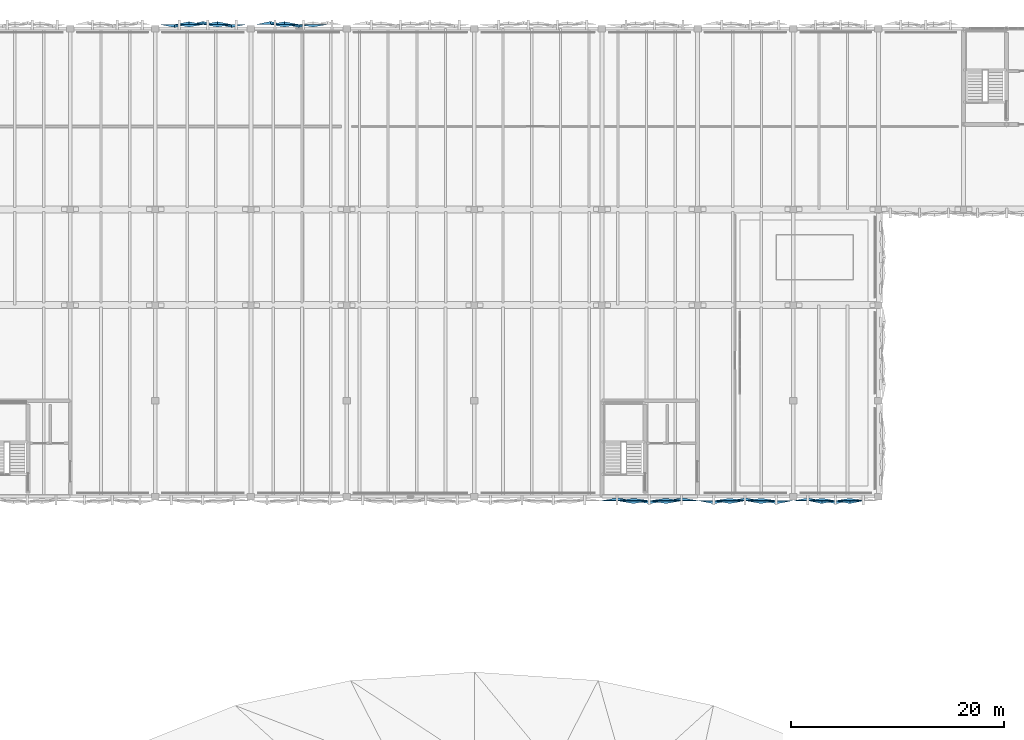
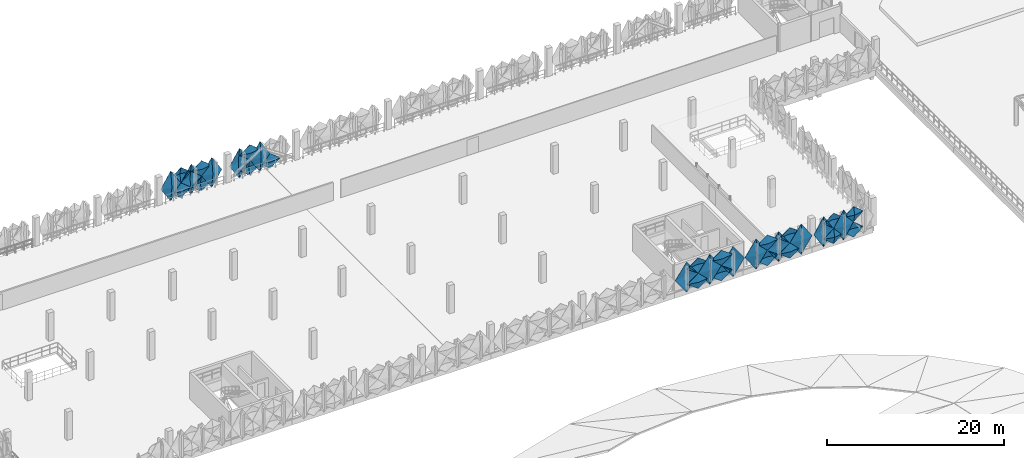
# One storey, part 41 of 52: 32 plates.
"""IFC4 building model written with IfcOpenShell, lengths in metres."""

from ifc_helpers import new_model, si_unit, derived_unit, direction, frame, origin, place, context, subcontext, project, spatial, polygons, material, layer, layer_set, type_object, element, save


model = new_model("IFC4")

# Units and contexts
model_context = context("Model", 3, precision=1e-05, world=origin(), true_north=direction((0.0, 1.0)))
body_context = subcontext(model_context, "Body", "Model", "MODEL_VIEW")
ifc_project = project(units=[si_unit("LENGTHUNIT", "METRE"), si_unit("AREAUNIT", "SQUARE_METRE"), si_unit("VOLUMEUNIT", "CUBIC_METRE"), si_unit("PLANEANGLEUNIT", "RADIAN"), si_unit("MASSUNIT", "GRAM", prefix="KILO"), si_unit("THERMODYNAMICTEMPERATUREUNIT", "KELVIN"), derived_unit("THERMALTRANSMITTANCEUNIT", [(si_unit("POWERUNIT", "WATT"), 1), (si_unit("AREAUNIT", "SQUARE_METRE"), -1), (si_unit("THERMODYNAMICTEMPERATUREUNIT", "KELVIN"), -1)])], contexts=[model_context])

# Site, building, storey
site_placement = place(None, origin())
site = spatial("IfcSite", under=ifc_project, at=site_placement, CompositionType="ELEMENT")
building_placement = place(site_placement, origin())
building = spatial("IfcBuilding", under=site, at=building_placement, Name="Haiyu Intermodal Mobility Hub", CompositionType="ELEMENT")
storey_placement = place(building_placement, frame((0.0, 0.0, 21.199951171875)))
storey = spatial("IfcBuildingStorey", under=building, at=storey_placement, Name="L05", CompositionType="ELEMENT", Elevation=21.199951171875)

# Plates
ifc_material = material(Name="Anodised aluminium 6063-T6", Category="aluminium")
ifc_layer_1 = layer(ifc_material, 0.01806640625)
ifc_layer_set_1 = layer_set([ifc_layer_1], Name="Anodised aluminium 6063-T6")
plate_type_1 = type_object("IfcPlateType", Name="PLT-FC03", PredefinedType="USERDEFINED", material=ifc_layer_set_1)
plate_1_placement = place(storey_placement, origin())
element("IfcPlate", 1, at=plate_1_placement, inside=storey, type_object=plate_type_1, Name="PLT-PYR-0240", ObjectType="FACADE CASSETTE", PredefinedType="USERDEFINED", context=body_context, shape_type="Tessellation", body=[
    polygons([(83.840087890625, 148.39990234375, -0.52001953125), (82.52001953125, 148.39990234375, 0.530029296875), (83.840087890625, 148.39990234375, 1.580078125), (85.159912109375, 148.39990234375, 0.530029296875), (83.840087890625, 148.659912109375, 0.530029296875), (83.840087890625, 148.3779296875, -0.52001953125), (82.52001953125, 148.3779296875, 0.530029296875), (83.840087890625, 148.3779296875, 1.580078125), (85.159912109375, 148.3779296875, 0.530029296875), (83.840087890625, 148.637939453125, 0.530029296875)], [[[1, 2, 5]], [[2, 3, 5]], [[3, 4, 5]], [[4, 1, 5]], [[7, 6, 10]], [[8, 7, 10]], [[9, 8, 10]], [[6, 9, 10]], [[1, 6, 7, 2]], [[2, 7, 8, 3]], [[3, 8, 9, 4]], [[4, 9, 6, 1]]], closed=True),
])
plate_2_placement = place(storey_placement, origin())
element("IfcPlate", 2, at=plate_2_placement, inside=storey, type_object=plate_type_1, Name="PLT-PYR-0278", ObjectType="FACADE CASSETTE", PredefinedType="USERDEFINED", context=body_context, shape_type="Tessellation", body=[
    polygons([(90.159912109375, 148.39990234375, -0.52001953125), (88.840087890625, 148.39990234375, 0.530029296875), (90.159912109375, 148.39990234375, 1.580078125), (91.47998046875, 148.39990234375, 0.530029296875), (90.159912109375, 148.659912109375, 0.530029296875), (90.159912109375, 148.3779296875, -0.52001953125), (88.840087890625, 148.3779296875, 0.530029296875), (90.159912109375, 148.3779296875, 1.580078125), (91.47998046875, 148.3779296875, 0.530029296875), (90.159912109375, 148.637939453125, 0.530029296875)], [[[1, 2, 5]], [[2, 3, 5]], [[3, 4, 5]], [[4, 1, 5]], [[7, 6, 10]], [[8, 7, 10]], [[9, 8, 10]], [[6, 9, 10]], [[1, 6, 7, 2]], [[2, 7, 8, 3]], [[3, 8, 9, 4]], [[4, 9, 6, 1]]], closed=True),
])
plate_3_placement = place(storey_placement, origin())
element("IfcPlate", 3, at=plate_3_placement, inside=storey, type_object=plate_type_1, Name="PLT-PYR-0973", ObjectType="FACADE CASSETTE", PredefinedType="USERDEFINED", context=body_context, shape_type="Tessellation", body=[
    polygons([(130.552978515625, 103.60009765625, -0.510009765625), (132.007080078125, 103.60009765625, 1.60009765625), (130.552978515625, 103.60009765625, 3.7099609375), (129.10009765625, 103.60009765625, 1.60009765625), (130.552978515625, 103.320068359375, 1.60009765625), (130.552978515625, 103.6220703125, -0.510009765625), (132.007080078125, 103.6220703125, 1.60009765625), (130.552978515625, 103.6220703125, 3.7099609375), (129.10009765625, 103.6220703125, 1.60009765625), (130.552978515625, 103.342041015625, 1.60009765625)], [[[1, 2, 5]], [[2, 3, 5]], [[3, 4, 5]], [[4, 1, 5]], [[7, 6, 10]], [[8, 7, 10]], [[9, 8, 10]], [[6, 9, 10]], [[1, 6, 7, 2]], [[2, 7, 8, 3]], [[3, 8, 9, 4]], [[4, 9, 6, 1]]], closed=True),
])
plate_4_placement = place(storey_placement, origin())
element("IfcPlate", 4, at=plate_4_placement, inside=storey, type_object=plate_type_1, Name="PLT-PYR-0977", ObjectType="FACADE CASSETTE", PredefinedType="USERDEFINED", context=body_context, shape_type="Tessellation", body=[
    polygons([(134.972900390625, 103.60009765625, -0.52001953125), (136.427001953125, 103.60009765625, 0.530029296875), (134.972900390625, 103.60009765625, 1.580078125), (133.52001953125, 103.60009765625, 0.530029296875), (134.972900390625, 103.340087890625, 0.530029296875), (134.972900390625, 103.6220703125, -0.52001953125), (136.427001953125, 103.6220703125, 0.530029296875), (134.972900390625, 103.6220703125, 1.580078125), (133.52001953125, 103.6220703125, 0.530029296875), (134.972900390625, 103.362060546875, 0.530029296875)], [[[1, 2, 5]], [[2, 3, 5]], [[3, 4, 5]], [[4, 1, 5]], [[7, 6, 10]], [[8, 7, 10]], [[9, 8, 10]], [[6, 9, 10]], [[1, 6, 7, 2]], [[2, 7, 8, 3]], [[3, 8, 9, 4]], [[4, 9, 6, 1]]], closed=True),
])
plate_5_placement = place(storey_placement, origin())
element("IfcPlate", 5, at=plate_5_placement, inside=storey, type_object=plate_type_1, Name="PLT-PYR-1009", ObjectType="FACADE CASSETTE", PredefinedType="USERDEFINED", context=body_context, shape_type="Tessellation", body=[
    polygons([(140.693115234375, 103.60009765625, -0.52001953125), (141.97998046875, 103.60009765625, 0.530029296875), (140.693115234375, 103.60009765625, 1.580078125), (139.406982421875, 103.60009765625, 0.530029296875), (140.693115234375, 103.340087890625, 0.530029296875), (140.693115234375, 103.6220703125, -0.52001953125), (141.97998046875, 103.6220703125, 0.530029296875), (140.693115234375, 103.6220703125, 1.580078125), (139.406982421875, 103.6220703125, 0.530029296875), (140.693115234375, 103.362060546875, 0.530029296875)], [[[1, 2, 5]], [[2, 3, 5]], [[3, 4, 5]], [[4, 1, 5]], [[7, 6, 10]], [[8, 7, 10]], [[9, 8, 10]], [[6, 9, 10]], [[1, 6, 7, 2]], [[2, 7, 8, 3]], [[3, 8, 9, 4]], [[4, 9, 6, 1]]], closed=True),
])
plate_6_placement = place(storey_placement, origin())
element("IfcPlate", 6, at=plate_6_placement, inside=storey, type_object=plate_type_1, Name="PLT-PYR-2254", ObjectType="FACADE CASSETTE", PredefinedType="USERDEFINED", context=body_context, shape_type="Tessellation", body=[
    polygons([(122.98291015625, 103.60009765625, -0.52001953125), (124.47998046875, 103.60009765625, 0.530029296875), (122.98291015625, 103.60009765625, 1.580078125), (121.487060546875, 103.60009765625, 0.530029296875), (122.98291015625, 103.340087890625, 0.530029296875), (122.98291015625, 103.6220703125, -0.52001953125), (124.47998046875, 103.6220703125, 0.530029296875), (122.98291015625, 103.6220703125, 1.580078125), (121.487060546875, 103.6220703125, 0.530029296875), (122.98291015625, 103.362060546875, 0.530029296875)], [[[1, 2, 5]], [[2, 3, 5]], [[3, 4, 5]], [[4, 1, 5]], [[7, 6, 10]], [[8, 7, 10]], [[9, 8, 10]], [[6, 9, 10]], [[1, 6, 7, 2]], [[2, 7, 8, 3]], [[3, 8, 9, 4]], [[4, 9, 6, 1]]], closed=True),
])
ifc_layer_2 = layer(ifc_material, 0.02001953125)
ifc_layer_set_2 = layer_set([ifc_layer_2], Name="Anodised aluminium 6063-T6")
plate_type_2 = type_object("IfcPlateType", Name="PLT-FC04", PredefinedType="USERDEFINED", material=ifc_layer_set_2)
plate_7_placement = place(storey_placement, origin())
element("IfcPlate", 7, at=plate_7_placement, inside=storey, type_object=plate_type_2, Name="PLT-PYR-0239", ObjectType="FACADE CASSETTE", PredefinedType="USERDEFINED", context=body_context, shape_type="Tessellation", body=[
    polygons([(85.179931640625, 148.39990234375, -0.510009765625), (83.860107421875, 148.39990234375, 1.60009765625), (85.179931640625, 148.39990234375, 3.7099609375), (86.5, 148.39990234375, 1.60009765625), (85.179931640625, 148.139892578125, 1.60009765625), (85.179931640625, 148.3779296875, -0.510009765625), (83.860107421875, 148.3779296875, 1.60009765625), (85.179931640625, 148.3779296875, 3.7099609375), (86.5, 148.3779296875, 1.60009765625), (85.179931640625, 148.117919921875, 1.60009765625)], [[[1, 2, 5]], [[2, 3, 5]], [[3, 4, 5]], [[4, 1, 5]], [[7, 6, 10]], [[8, 7, 10]], [[9, 8, 10]], [[6, 9, 10]], [[1, 6, 7, 2]], [[2, 7, 8, 3]], [[3, 8, 9, 4]], [[4, 9, 6, 1]]], closed=True),
])
plate_8_placement = place(storey_placement, origin())
element("IfcPlate", 8, at=plate_8_placement, inside=storey, type_object=plate_type_2, Name="PLT-PYR-0243", ObjectType="FACADE CASSETTE", PredefinedType="USERDEFINED", context=body_context, shape_type="Tessellation", body=[
    polygons([(81.159912109375, 148.39990234375, -0.52001953125), (79.840087890625, 148.39990234375, 0.530029296875), (81.159912109375, 148.39990234375, 1.580078125), (82.47998046875, 148.39990234375, 0.530029296875), (81.159912109375, 148.179931640625, 0.530029296875), (81.159912109375, 148.3779296875, -0.52001953125), (79.840087890625, 148.3779296875, 0.530029296875), (81.159912109375, 148.3779296875, 1.580078125), (82.47998046875, 148.3779296875, 0.530029296875), (81.159912109375, 148.157958984375, 0.530029296875)], [[[1, 2, 5]], [[2, 3, 5]], [[3, 4, 5]], [[4, 1, 5]], [[7, 6, 10]], [[8, 7, 10]], [[9, 8, 10]], [[6, 9, 10]], [[1, 6, 7, 2]], [[2, 7, 8, 3]], [[3, 8, 9, 4]], [[4, 9, 6, 1]]], closed=True),
])
plate_9_placement = place(storey_placement, origin())
element("IfcPlate", 9, at=plate_9_placement, inside=storey, type_object=plate_type_2, Name="PLT-PYR-0275", ObjectType="FACADE CASSETTE", PredefinedType="USERDEFINED", context=body_context, shape_type="Tessellation", body=[
    polygons([(92.840087890625, 148.39990234375, -0.52001953125), (91.52001953125, 148.39990234375, 0.530029296875), (92.840087890625, 148.39990234375, 1.580078125), (94.159912109375, 148.39990234375, 0.530029296875), (92.840087890625, 148.179931640625, 0.530029296875), (92.840087890625, 148.3779296875, -0.52001953125), (91.52001953125, 148.3779296875, 0.530029296875), (92.840087890625, 148.3779296875, 1.580078125), (94.159912109375, 148.3779296875, 0.530029296875), (92.840087890625, 148.157958984375, 0.530029296875)], [[[1, 2, 5]], [[2, 3, 5]], [[3, 4, 5]], [[4, 1, 5]], [[7, 6, 10]], [[8, 7, 10]], [[9, 8, 10]], [[6, 9, 10]], [[1, 6, 7, 2]], [[2, 7, 8, 3]], [[3, 8, 9, 4]], [[4, 9, 6, 1]]], closed=True),
])
plate_10_placement = place(storey_placement, origin())
element("IfcPlate", 10, at=plate_10_placement, inside=storey, type_object=plate_type_2, Name="PLT-PYR-0974", ObjectType="FACADE CASSETTE", PredefinedType="USERDEFINED", context=body_context, shape_type="Tessellation", body=[
    polygons([(132.027099609375, 103.60009765625, -0.52001953125), (133.47998046875, 103.60009765625, 0.530029296875), (132.027099609375, 103.60009765625, 1.580078125), (130.572998046875, 103.60009765625, 0.530029296875), (132.027099609375, 103.820068359375, 0.530029296875), (132.027099609375, 103.6220703125, -0.52001953125), (133.47998046875, 103.6220703125, 0.530029296875), (132.027099609375, 103.6220703125, 1.580078125), (130.572998046875, 103.6220703125, 0.530029296875), (132.027099609375, 103.842041015625, 0.530029296875)], [[[1, 2, 5]], [[2, 3, 5]], [[3, 4, 5]], [[4, 1, 5]], [[7, 6, 10]], [[8, 7, 10]], [[9, 8, 10]], [[6, 9, 10]], [[1, 6, 7, 2]], [[2, 7, 8, 3]], [[3, 8, 9, 4]], [[4, 9, 6, 1]]], closed=True),
])
plate_11_placement = place(storey_placement, origin())
element("IfcPlate", 11, at=plate_11_placement, inside=storey, type_object=plate_type_2, Name="PLT-PYR-1008", ObjectType="FACADE CASSETTE", PredefinedType="USERDEFINED", context=body_context, shape_type="Tessellation", body=[
    polygons([(139.386962890625, 103.60009765625, -0.510009765625), (140.673095703125, 103.60009765625, 1.60009765625), (139.386962890625, 103.60009765625, 3.7099609375), (138.10009765625, 103.60009765625, 1.60009765625), (139.386962890625, 103.860107421875, 1.60009765625), (139.386962890625, 103.6220703125, -0.510009765625), (140.673095703125, 103.6220703125, 1.60009765625), (139.386962890625, 103.6220703125, 3.7099609375), (138.10009765625, 103.6220703125, 1.60009765625), (139.386962890625, 103.882080078125, 1.60009765625)], [[[1, 2, 5]], [[2, 3, 5]], [[3, 4, 5]], [[4, 1, 5]], [[7, 6, 10]], [[8, 7, 10]], [[9, 8, 10]], [[6, 9, 10]], [[1, 6, 7, 2]], [[2, 7, 8, 3]], [[3, 8, 9, 4]], [[4, 9, 6, 1]]], closed=True),
])
plate_12_placement = place(storey_placement, origin())
element("IfcPlate", 12, at=plate_12_placement, inside=storey, type_object=plate_type_2, Name="PLT-PYR-1012", ObjectType="FACADE CASSETTE", PredefinedType="USERDEFINED", context=body_context, shape_type="Tessellation", body=[
    polygons([(143.306884765625, 103.60009765625, -0.52001953125), (144.593017578125, 103.60009765625, 0.530029296875), (143.306884765625, 103.60009765625, 1.580078125), (142.02001953125, 103.60009765625, 0.530029296875), (143.306884765625, 103.820068359375, 0.530029296875), (143.306884765625, 103.6220703125, -0.52001953125), (144.593017578125, 103.6220703125, 0.530029296875), (143.306884765625, 103.6220703125, 1.580078125), (142.02001953125, 103.6220703125, 0.530029296875), (143.306884765625, 103.842041015625, 0.530029296875)], [[[1, 2, 5]], [[2, 3, 5]], [[3, 4, 5]], [[4, 1, 5]], [[7, 6, 10]], [[8, 7, 10]], [[9, 8, 10]], [[6, 9, 10]], [[1, 6, 7, 2]], [[2, 7, 8, 3]], [[3, 8, 9, 4]], [[4, 9, 6, 1]]], closed=True),
])
plate_13_placement = place(storey_placement, origin())
element("IfcPlate", 13, at=plate_13_placement, inside=storey, type_object=plate_type_2, Name="PLT-PYR-2253", ObjectType="FACADE CASSETTE", PredefinedType="USERDEFINED", context=body_context, shape_type="Tessellation", body=[
    polygons([(121.467041015625, 103.60009765625, -0.510009765625), (122.962890625, 103.60009765625, 1.60009765625), (121.467041015625, 103.60009765625, 3.7099609375), (119.969970703125, 103.60009765625, 1.60009765625), (121.467041015625, 103.860107421875, 1.60009765625), (121.467041015625, 103.6220703125, -0.510009765625), (122.962890625, 103.6220703125, 1.60009765625), (121.467041015625, 103.6220703125, 3.7099609375), (119.969970703125, 103.6220703125, 1.60009765625), (121.467041015625, 103.882080078125, 1.60009765625)], [[[1, 2, 5]], [[2, 3, 5]], [[3, 4, 5]], [[4, 1, 5]], [[7, 6, 10]], [[8, 7, 10]], [[9, 8, 10]], [[6, 9, 10]], [[1, 6, 7, 2]], [[2, 7, 8, 3]], [[3, 8, 9, 4]], [[4, 9, 6, 1]]], closed=True),
])
plate_14_placement = place(storey_placement, origin())
element("IfcPlate", 14, at=plate_14_placement, inside=storey, type_object=plate_type_2, Name="PLT-PYR-2257", ObjectType="FACADE CASSETTE", PredefinedType="USERDEFINED", context=body_context, shape_type="Tessellation", body=[
    polygons([(126.01708984375, 103.60009765625, -0.52001953125), (127.512939453125, 103.60009765625, 0.530029296875), (126.01708984375, 103.60009765625, 1.580078125), (124.52001953125, 103.60009765625, 0.530029296875), (126.01708984375, 103.820068359375, 0.530029296875), (126.01708984375, 103.6220703125, -0.52001953125), (127.512939453125, 103.6220703125, 0.530029296875), (126.01708984375, 103.6220703125, 1.580078125), (124.52001953125, 103.6220703125, 0.530029296875), (126.01708984375, 103.842041015625, 0.530029296875)], [[[1, 2, 5]], [[2, 3, 5]], [[3, 4, 5]], [[4, 1, 5]], [[7, 6, 10]], [[8, 7, 10]], [[9, 8, 10]], [[6, 9, 10]], [[1, 6, 7, 2]], [[2, 7, 8, 3]], [[3, 8, 9, 4]], [[4, 9, 6, 1]]], closed=True),
])
ifc_layer_3 = layer(ifc_material, 0.01806640625)
ifc_layer_set_3 = layer_set([ifc_layer_3], Name="Anodised aluminium 6063-T6")
plate_type_3 = type_object("IfcPlateType", Name="PLT-FC05", PredefinedType="USERDEFINED", material=ifc_layer_set_3)
plate_15_placement = place(storey_placement, origin())
element("IfcPlate", 15, at=plate_15_placement, inside=storey, type_object=plate_type_3, Name="PLT-PYR-0242", ObjectType="FACADE CASSETTE", PredefinedType="USERDEFINED", context=body_context, shape_type="Tessellation", body=[
    polygons([(82.5, 148.39990234375, -0.510009765625), (81.179931640625, 148.39990234375, 1.60009765625), (82.5, 148.39990234375, 3.7099609375), (83.820068359375, 148.39990234375, 1.60009765625), (82.5, 148.679931640625, 1.60009765625), (82.5, 148.3779296875, -0.510009765625), (81.179931640625, 148.3779296875, 1.60009765625), (82.5, 148.3779296875, 3.7099609375), (83.820068359375, 148.3779296875, 1.60009765625), (82.5, 148.657958984375, 1.60009765625)], [[[1, 2, 5]], [[2, 3, 5]], [[3, 4, 5]], [[4, 1, 5]], [[7, 6, 10]], [[8, 7, 10]], [[9, 8, 10]], [[6, 9, 10]], [[1, 6, 7, 2]], [[2, 7, 8, 3]], [[3, 8, 9, 4]], [[4, 9, 6, 1]]], closed=True),
])
plate_16_placement = place(storey_placement, origin())
element("IfcPlate", 16, at=plate_16_placement, inside=storey, type_object=plate_type_3, Name="PLT-PYR-0244", ObjectType="FACADE CASSETTE", PredefinedType="USERDEFINED", context=body_context, shape_type="Tessellation", body=[
    polygons([(81.159912109375, 148.39990234375, 1.6201171875), (79.840087890625, 148.39990234375, 2.670166015625), (81.159912109375, 148.39990234375, 3.719970703125), (82.47998046875, 148.39990234375, 2.670166015625), (81.159912109375, 148.659912109375, 2.670166015625), (81.159912109375, 148.3779296875, 1.6201171875), (79.840087890625, 148.3779296875, 2.670166015625), (81.159912109375, 148.3779296875, 3.719970703125), (82.47998046875, 148.3779296875, 2.670166015625), (81.159912109375, 148.637939453125, 2.670166015625)], [[[1, 2, 5]], [[2, 3, 5]], [[3, 4, 5]], [[4, 1, 5]], [[7, 6, 10]], [[8, 7, 10]], [[9, 8, 10]], [[6, 9, 10]], [[1, 6, 7, 2]], [[2, 7, 8, 3]], [[3, 8, 9, 4]], [[4, 9, 6, 1]]], closed=True),
])
plate_17_placement = place(storey_placement, origin())
element("IfcPlate", 17, at=plate_17_placement, inside=storey, type_object=plate_type_3, Name="PLT-PYR-0975", ObjectType="FACADE CASSETTE", PredefinedType="USERDEFINED", context=body_context, shape_type="Tessellation", body=[
    polygons([(132.027099609375, 103.60009765625, 1.6201171875), (133.47998046875, 103.60009765625, 2.670166015625), (132.027099609375, 103.60009765625, 3.719970703125), (130.572998046875, 103.60009765625, 2.670166015625), (132.027099609375, 103.340087890625, 2.670166015625), (132.027099609375, 103.6220703125, 1.6201171875), (133.47998046875, 103.6220703125, 2.670166015625), (132.027099609375, 103.6220703125, 3.719970703125), (130.572998046875, 103.6220703125, 2.670166015625), (132.027099609375, 103.362060546875, 2.670166015625)], [[[1, 2, 5]], [[2, 3, 5]], [[3, 4, 5]], [[4, 1, 5]], [[7, 6, 10]], [[8, 7, 10]], [[9, 8, 10]], [[6, 9, 10]], [[1, 6, 7, 2]], [[2, 7, 8, 3]], [[3, 8, 9, 4]], [[4, 9, 6, 1]]], closed=True),
])
plate_18_placement = place(storey_placement, origin())
element("IfcPlate", 18, at=plate_18_placement, inside=storey, type_object=plate_type_3, Name="PLT-PYR-1011", ObjectType="FACADE CASSETTE", PredefinedType="USERDEFINED", context=body_context, shape_type="Tessellation", body=[
    polygons([(142.0, 103.60009765625, -0.510009765625), (143.287109375, 103.60009765625, 1.60009765625), (142.0, 103.60009765625, 3.7099609375), (140.712890625, 103.60009765625, 1.60009765625), (142.0, 103.320068359375, 1.60009765625), (142.0, 103.6220703125, -0.510009765625), (143.287109375, 103.6220703125, 1.60009765625), (142.0, 103.6220703125, 3.7099609375), (140.712890625, 103.6220703125, 1.60009765625), (142.0, 103.342041015625, 1.60009765625)], [[[1, 2, 5]], [[2, 3, 5]], [[3, 4, 5]], [[4, 1, 5]], [[7, 6, 10]], [[8, 7, 10]], [[9, 8, 10]], [[6, 9, 10]], [[1, 6, 7, 2]], [[2, 7, 8, 3]], [[3, 8, 9, 4]], [[4, 9, 6, 1]]], closed=True),
])
plate_19_placement = place(storey_placement, origin())
element("IfcPlate", 19, at=plate_19_placement, inside=storey, type_object=plate_type_3, Name="PLT-PYR-1013", ObjectType="FACADE CASSETTE", PredefinedType="USERDEFINED", context=body_context, shape_type="Tessellation", body=[
    polygons([(143.306884765625, 103.60009765625, 1.6201171875), (144.593017578125, 103.60009765625, 2.670166015625), (143.306884765625, 103.60009765625, 3.719970703125), (142.02001953125, 103.60009765625, 2.670166015625), (143.306884765625, 103.340087890625, 2.670166015625), (143.306884765625, 103.6220703125, 1.6201171875), (144.593017578125, 103.6220703125, 2.670166015625), (143.306884765625, 103.6220703125, 3.719970703125), (142.02001953125, 103.6220703125, 2.670166015625), (143.306884765625, 103.362060546875, 2.670166015625)], [[[1, 2, 5]], [[2, 3, 5]], [[3, 4, 5]], [[4, 1, 5]], [[7, 6, 10]], [[8, 7, 10]], [[9, 8, 10]], [[6, 9, 10]], [[1, 6, 7, 2]], [[2, 7, 8, 3]], [[3, 8, 9, 4]], [[4, 9, 6, 1]]], closed=True),
])
plate_20_placement = place(storey_placement, origin())
element("IfcPlate", 20, at=plate_20_placement, inside=storey, type_object=plate_type_3, Name="PLT-PYR-2256", ObjectType="FACADE CASSETTE", PredefinedType="USERDEFINED", context=body_context, shape_type="Tessellation", body=[
    polygons([(124.5, 103.60009765625, -0.510009765625), (125.9970703125, 103.60009765625, 1.60009765625), (124.5, 103.60009765625, 3.7099609375), (123.0029296875, 103.60009765625, 1.60009765625), (124.5, 103.320068359375, 1.60009765625), (124.5, 103.6220703125, -0.510009765625), (125.9970703125, 103.6220703125, 1.60009765625), (124.5, 103.6220703125, 3.7099609375), (123.0029296875, 103.6220703125, 1.60009765625), (124.5, 103.342041015625, 1.60009765625)], [[[1, 2, 5]], [[2, 3, 5]], [[3, 4, 5]], [[4, 1, 5]], [[7, 6, 10]], [[8, 7, 10]], [[9, 8, 10]], [[6, 9, 10]], [[1, 6, 7, 2]], [[2, 7, 8, 3]], [[3, 8, 9, 4]], [[4, 9, 6, 1]]], closed=True),
])
plate_21_placement = place(storey_placement, origin())
element("IfcPlate", 21, at=plate_21_placement, inside=storey, type_object=plate_type_3, Name="PLT-PYR-2258", ObjectType="FACADE CASSETTE", PredefinedType="USERDEFINED", context=body_context, shape_type="Tessellation", body=[
    polygons([(126.01708984375, 103.60009765625, 1.6201171875), (127.512939453125, 103.60009765625, 2.670166015625), (126.01708984375, 103.60009765625, 3.719970703125), (124.52001953125, 103.60009765625, 2.670166015625), (126.01708984375, 103.340087890625, 2.670166015625), (126.01708984375, 103.6220703125, 1.6201171875), (127.512939453125, 103.6220703125, 2.670166015625), (126.01708984375, 103.6220703125, 3.719970703125), (124.52001953125, 103.6220703125, 2.670166015625), (126.01708984375, 103.362060546875, 2.670166015625)], [[[1, 2, 5]], [[2, 3, 5]], [[3, 4, 5]], [[4, 1, 5]], [[7, 6, 10]], [[8, 7, 10]], [[9, 8, 10]], [[6, 9, 10]], [[1, 6, 7, 2]], [[2, 7, 8, 3]], [[3, 8, 9, 4]], [[4, 9, 6, 1]]], closed=True),
])
ifc_layer_4 = layer(ifc_material, 0.02001953125)
ifc_layer_set_4 = layer_set([ifc_layer_4], Name="Anodised aluminium 6063-T6")
plate_type_4 = type_object("IfcPlateType", Name="PLT-FC06", PredefinedType="USERDEFINED", material=ifc_layer_set_4)
plate_22_placement = place(storey_placement, origin())
element("IfcPlate", 22, at=plate_22_placement, inside=storey, type_object=plate_type_4, Name="PLT-PYR-0241", ObjectType="FACADE CASSETTE", PredefinedType="USERDEFINED", context=body_context, shape_type="Tessellation", body=[
    polygons([(83.840087890625, 148.39990234375, 1.6201171875), (82.52001953125, 148.39990234375, 2.670166015625), (83.840087890625, 148.39990234375, 3.719970703125), (85.159912109375, 148.39990234375, 2.670166015625), (83.840087890625, 148.179931640625, 2.670166015625), (83.840087890625, 148.3779296875, 1.6201171875), (82.52001953125, 148.3779296875, 2.670166015625), (83.840087890625, 148.3779296875, 3.719970703125), (85.159912109375, 148.3779296875, 2.670166015625), (83.840087890625, 148.157958984375, 2.670166015625)], [[[1, 2, 5]], [[2, 3, 5]], [[3, 4, 5]], [[4, 1, 5]], [[7, 6, 10]], [[8, 7, 10]], [[9, 8, 10]], [[6, 9, 10]], [[1, 6, 7, 2]], [[2, 7, 8, 3]], [[3, 8, 9, 4]], [[4, 9, 6, 1]]], closed=True),
])
plate_23_placement = place(storey_placement, origin())
element("IfcPlate", 23, at=plate_23_placement, inside=storey, type_object=plate_type_4, Name="PLT-PYR-0277", ObjectType="FACADE CASSETTE", PredefinedType="USERDEFINED", context=body_context, shape_type="Tessellation", body=[
    polygons([(91.5, 148.39990234375, -0.510009765625), (90.179931640625, 148.39990234375, 1.60009765625), (91.5, 148.39990234375, 3.7099609375), (92.820068359375, 148.39990234375, 1.60009765625), (91.5, 148.139892578125, 1.60009765625), (91.5, 148.3779296875, -0.510009765625), (90.179931640625, 148.3779296875, 1.60009765625), (91.5, 148.3779296875, 3.7099609375), (92.820068359375, 148.3779296875, 1.60009765625), (91.5, 148.117919921875, 1.60009765625)], [[[1, 2, 5]], [[2, 3, 5]], [[3, 4, 5]], [[4, 1, 5]], [[7, 6, 10]], [[8, 7, 10]], [[9, 8, 10]], [[6, 9, 10]], [[1, 6, 7, 2]], [[2, 7, 8, 3]], [[3, 8, 9, 4]], [[4, 9, 6, 1]]], closed=True),
])
plate_24_placement = place(storey_placement, origin())
element("IfcPlate", 24, at=plate_24_placement, inside=storey, type_object=plate_type_4, Name="PLT-PYR-0279", ObjectType="FACADE CASSETTE", PredefinedType="USERDEFINED", context=body_context, shape_type="Tessellation", body=[
    polygons([(90.159912109375, 148.39990234375, 1.6201171875), (88.840087890625, 148.39990234375, 2.670166015625), (90.159912109375, 148.39990234375, 3.719970703125), (91.47998046875, 148.39990234375, 2.670166015625), (90.159912109375, 148.179931640625, 2.670166015625), (90.159912109375, 148.3779296875, 1.6201171875), (88.840087890625, 148.3779296875, 2.670166015625), (90.159912109375, 148.3779296875, 3.719970703125), (91.47998046875, 148.3779296875, 2.670166015625), (90.159912109375, 148.157958984375, 2.670166015625)], [[[1, 2, 5]], [[2, 3, 5]], [[3, 4, 5]], [[4, 1, 5]], [[7, 6, 10]], [[8, 7, 10]], [[9, 8, 10]], [[6, 9, 10]], [[1, 6, 7, 2]], [[2, 7, 8, 3]], [[3, 8, 9, 4]], [[4, 9, 6, 1]]], closed=True),
])
plate_25_placement = place(storey_placement, origin())
element("IfcPlate", 25, at=plate_25_placement, inside=storey, type_object=plate_type_4, Name="PLT-PYR-0976", ObjectType="FACADE CASSETTE", PredefinedType="USERDEFINED", context=body_context, shape_type="Tessellation", body=[
    polygons([(133.5, 103.60009765625, -0.510009765625), (134.952880859375, 103.60009765625, 1.60009765625), (133.5, 103.60009765625, 3.7099609375), (132.047119140625, 103.60009765625, 1.60009765625), (133.5, 103.860107421875, 1.60009765625), (133.5, 103.6220703125, -0.510009765625), (134.952880859375, 103.6220703125, 1.60009765625), (133.5, 103.6220703125, 3.7099609375), (132.047119140625, 103.6220703125, 1.60009765625), (133.5, 103.882080078125, 1.60009765625)], [[[1, 2, 5]], [[2, 3, 5]], [[3, 4, 5]], [[4, 1, 5]], [[7, 6, 10]], [[8, 7, 10]], [[9, 8, 10]], [[6, 9, 10]], [[1, 6, 7, 2]], [[2, 7, 8, 3]], [[3, 8, 9, 4]], [[4, 9, 6, 1]]], closed=True),
])
plate_26_placement = place(storey_placement, origin())
element("IfcPlate", 26, at=plate_26_placement, inside=storey, type_object=plate_type_4, Name="PLT-PYR-0978", ObjectType="FACADE CASSETTE", PredefinedType="USERDEFINED", context=body_context, shape_type="Tessellation", body=[
    polygons([(134.972900390625, 103.60009765625, 1.6201171875), (136.427001953125, 103.60009765625, 2.670166015625), (134.972900390625, 103.60009765625, 3.719970703125), (133.52001953125, 103.60009765625, 2.670166015625), (134.972900390625, 103.820068359375, 2.670166015625), (134.972900390625, 103.6220703125, 1.6201171875), (136.427001953125, 103.6220703125, 2.670166015625), (134.972900390625, 103.6220703125, 3.719970703125), (133.52001953125, 103.6220703125, 2.670166015625), (134.972900390625, 103.842041015625, 2.670166015625)], [[[1, 2, 5]], [[2, 3, 5]], [[3, 4, 5]], [[4, 1, 5]], [[7, 6, 10]], [[8, 7, 10]], [[9, 8, 10]], [[6, 9, 10]], [[1, 6, 7, 2]], [[2, 7, 8, 3]], [[3, 8, 9, 4]], [[4, 9, 6, 1]]], closed=True),
])
plate_27_placement = place(storey_placement, origin())
element("IfcPlate", 27, at=plate_27_placement, inside=storey, type_object=plate_type_4, Name="PLT-PYR-1010", ObjectType="FACADE CASSETTE", PredefinedType="USERDEFINED", context=body_context, shape_type="Tessellation", body=[
    polygons([(140.693115234375, 103.60009765625, 1.6201171875), (141.97998046875, 103.60009765625, 2.670166015625), (140.693115234375, 103.60009765625, 3.719970703125), (139.406982421875, 103.60009765625, 2.670166015625), (140.693115234375, 103.820068359375, 2.670166015625), (140.693115234375, 103.6220703125, 1.6201171875), (141.97998046875, 103.6220703125, 2.670166015625), (140.693115234375, 103.6220703125, 3.719970703125), (139.406982421875, 103.6220703125, 2.670166015625), (140.693115234375, 103.842041015625, 2.670166015625)], [[[1, 2, 5]], [[2, 3, 5]], [[3, 4, 5]], [[4, 1, 5]], [[7, 6, 10]], [[8, 7, 10]], [[9, 8, 10]], [[6, 9, 10]], [[1, 6, 7, 2]], [[2, 7, 8, 3]], [[3, 8, 9, 4]], [[4, 9, 6, 1]]], closed=True),
])
plate_28_placement = place(storey_placement, origin())
element("IfcPlate", 28, at=plate_28_placement, inside=storey, type_object=plate_type_4, Name="PLT-PYR-2255", ObjectType="FACADE CASSETTE", PredefinedType="USERDEFINED", context=body_context, shape_type="Tessellation", body=[
    polygons([(122.98291015625, 103.60009765625, 1.6201171875), (124.47998046875, 103.60009765625, 2.670166015625), (122.98291015625, 103.60009765625, 3.719970703125), (121.487060546875, 103.60009765625, 2.670166015625), (122.98291015625, 103.820068359375, 2.670166015625), (122.98291015625, 103.6220703125, 1.6201171875), (124.47998046875, 103.6220703125, 2.670166015625), (122.98291015625, 103.6220703125, 3.719970703125), (121.487060546875, 103.6220703125, 2.670166015625), (122.98291015625, 103.842041015625, 2.670166015625)], [[[1, 2, 5]], [[2, 3, 5]], [[3, 4, 5]], [[4, 1, 5]], [[7, 6, 10]], [[8, 7, 10]], [[9, 8, 10]], [[6, 9, 10]], [[1, 6, 7, 2]], [[2, 7, 8, 3]], [[3, 8, 9, 4]], [[4, 9, 6, 1]]], closed=True),
])
ifc_layer_5 = layer(ifc_material, 0.02197265625)
ifc_layer_set_5 = layer_set([ifc_layer_5], Name="Anodised aluminium 6063-T6")
plate_type_5 = type_object("IfcPlateType", Name="PLT-FC07", PredefinedType="USERDEFINED", material=ifc_layer_set_5)
plate_29_placement = place(storey_placement, origin())
element("IfcPlate", 29, at=plate_29_placement, inside=storey, type_object=plate_type_5, Name="PLT-PYR-0280", ObjectType="FACADE CASSETTE", PredefinedType="USERDEFINED", context=body_context, shape_type="Tessellation", body=[
    polygons([(88.820068359375, 148.39990234375, -0.510009765625), (87.5, 148.39990234375, 1.60009765625), (88.820068359375, 148.39990234375, 3.7099609375), (90.139892578125, 148.39990234375, 1.60009765625), (88.820068359375, 148.679931640625, 1.60009765625), (88.820068359375, 148.3779296875, -0.510009765625), (87.5, 148.3779296875, 1.60009765625), (88.820068359375, 148.3779296875, 3.7099609375), (90.139892578125, 148.3779296875, 1.60009765625), (88.820068359375, 148.657958984375, 1.60009765625)], [[[1, 2, 5]], [[2, 3, 5]], [[3, 4, 5]], [[4, 1, 5]], [[7, 6, 10]], [[8, 7, 10]], [[9, 8, 10]], [[6, 9, 10]], [[1, 6, 7, 2]], [[2, 7, 8, 3]], [[3, 8, 9, 4]], [[4, 9, 6, 1]]], closed=True),
])
plate_30_placement = place(storey_placement, origin())
element("IfcPlate", 30, at=plate_30_placement, inside=storey, type_object=plate_type_5, Name="PLT-PYR-0979", ObjectType="FACADE CASSETTE", PredefinedType="USERDEFINED", context=body_context, shape_type="Tessellation", body=[
    polygons([(136.447021484375, 103.60009765625, -0.510009765625), (137.89990234375, 103.60009765625, 1.60009765625), (136.447021484375, 103.60009765625, 3.7099609375), (134.992919921875, 103.60009765625, 1.60009765625), (136.447021484375, 103.320068359375, 1.60009765625), (136.447021484375, 103.6220703125, -0.510009765625), (137.89990234375, 103.6220703125, 1.60009765625), (136.447021484375, 103.6220703125, 3.7099609375), (134.992919921875, 103.6220703125, 1.60009765625), (136.447021484375, 103.342041015625, 1.60009765625)], [[[1, 2, 5]], [[2, 3, 5]], [[3, 4, 5]], [[4, 1, 5]], [[7, 6, 10]], [[8, 7, 10]], [[9, 8, 10]], [[6, 9, 10]], [[1, 6, 7, 2]], [[2, 7, 8, 3]], [[3, 8, 9, 4]], [[4, 9, 6, 1]]], closed=True),
])
ifc_layer_6 = layer(ifc_material, 0.02392578125)
ifc_layer_set_6 = layer_set([ifc_layer_6], Name="Anodised aluminium 6063-T6")
plate_type_6 = type_object("IfcPlateType", Name="PLT-FC08", PredefinedType="USERDEFINED", material=ifc_layer_set_6)
plate_31_placement = place(storey_placement, origin())
element("IfcPlate", 31, at=plate_31_placement, inside=storey, type_object=plate_type_6, Name="PLT-PYR-0245", ObjectType="FACADE CASSETTE", PredefinedType="USERDEFINED", context=body_context, shape_type="Tessellation", body=[
    polygons([(79.820068359375, 148.39990234375, -0.510009765625), (78.5, 148.39990234375, 1.60009765625), (79.820068359375, 148.39990234375, 3.7099609375), (81.139892578125, 148.39990234375, 1.60009765625), (79.820068359375, 148.139892578125, 1.60009765625), (79.820068359375, 148.3779296875, -0.510009765625), (78.5, 148.3779296875, 1.60009765625), (79.820068359375, 148.3779296875, 3.7099609375), (81.139892578125, 148.3779296875, 1.60009765625), (79.820068359375, 148.117919921875, 1.60009765625)], [[[1, 2, 5]], [[2, 3, 5]], [[3, 4, 5]], [[4, 1, 5]], [[7, 6, 10]], [[8, 7, 10]], [[9, 8, 10]], [[6, 9, 10]], [[1, 6, 7, 2]], [[2, 7, 8, 3]], [[3, 8, 9, 4]], [[4, 9, 6, 1]]], closed=True),
])
plate_32_placement = place(storey_placement, origin())
element("IfcPlate", 32, at=plate_32_placement, inside=storey, type_object=plate_type_6, Name="PLT-PYR-2259", ObjectType="FACADE CASSETTE", PredefinedType="USERDEFINED", context=body_context, shape_type="Tessellation", body=[
    polygons([(127.532958984375, 103.60009765625, -0.510009765625), (129.030029296875, 103.60009765625, 1.60009765625), (127.532958984375, 103.60009765625, 3.7099609375), (126.037109375, 103.60009765625, 1.60009765625), (127.532958984375, 103.860107421875, 1.60009765625), (127.532958984375, 103.6220703125, -0.510009765625), (129.030029296875, 103.6220703125, 1.60009765625), (127.532958984375, 103.6220703125, 3.7099609375), (126.037109375, 103.6220703125, 1.60009765625), (127.532958984375, 103.882080078125, 1.60009765625)], [[[1, 2, 5]], [[2, 3, 5]], [[3, 4, 5]], [[4, 1, 5]], [[7, 6, 10]], [[8, 7, 10]], [[9, 8, 10]], [[6, 9, 10]], [[1, 6, 7, 2]], [[2, 7, 8, 3]], [[3, 8, 9, 4]], [[4, 9, 6, 1]]], closed=True),
])

save(model, "model.ifc")
